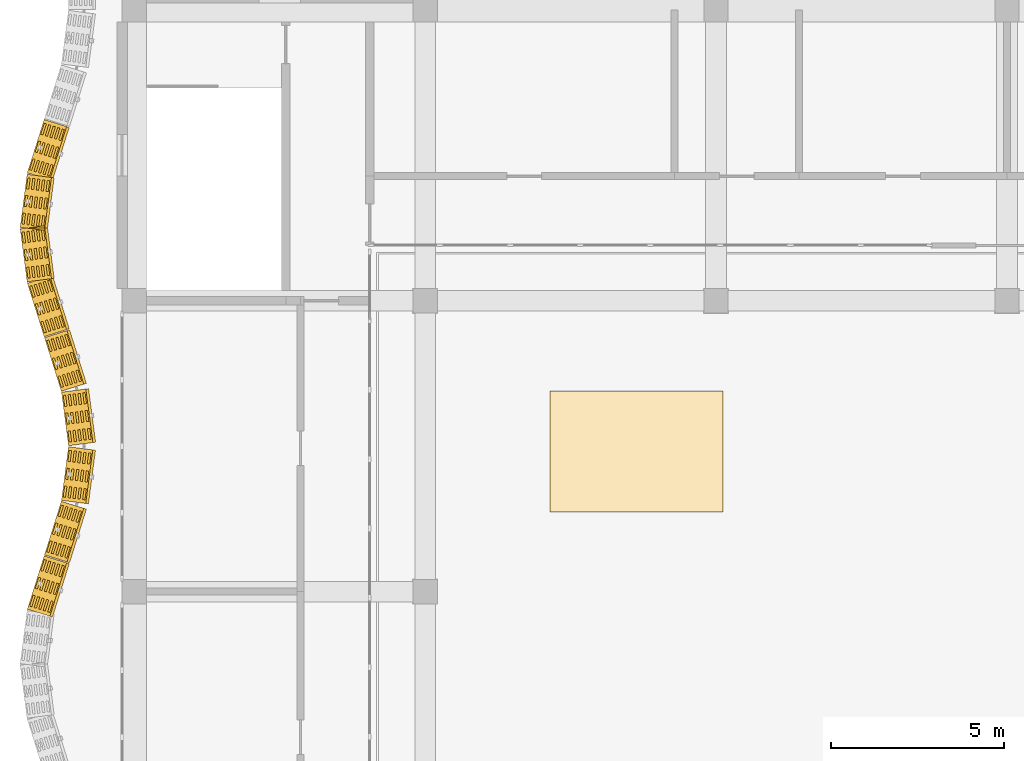
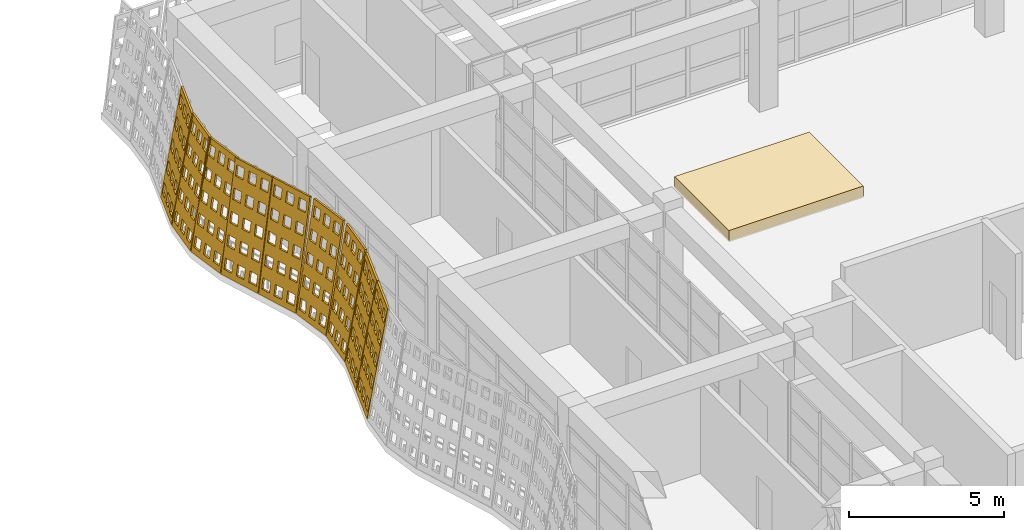
# One storey, part 79 of 85: 10 coverings.
"""IFC4 building model written with IfcOpenShell, lengths in metres."""

from ifc_helpers import new_model, si_unit, direction, frame, origin, place, context, subcontext, project, spatial, polyline, outline, extrude, material, layer, layer_set, type_object, element, save


model = new_model("IFC4")

# Units and contexts
model_context = context("Model", 3, precision=1e-05, world=origin(), true_north=direction((0.0, 1.0)))
body_context = subcontext(model_context, "Body", "Model", "MODEL_VIEW")
ifc_project = project(units=[si_unit("LENGTHUNIT", "METRE"), si_unit("AREAUNIT", "SQUARE_METRE"), si_unit("VOLUMEUNIT", "CUBIC_METRE"), si_unit("PLANEANGLEUNIT", "RADIAN"), si_unit("MASSUNIT", "GRAM", prefix="KILO")], contexts=[model_context])

# Site, building, storey
site_placement = place(None, origin())
site = spatial("IfcSite", under=ifc_project, at=site_placement, CompositionType="ELEMENT")
building_placement = place(site_placement, origin())
building = spatial("IfcBuilding", under=site, at=building_placement, Name="Rain Tree Exposition and Congress Centre", CompositionType="ELEMENT")
storey_placement = place(building_placement, frame((0.0, 0.0, 15.0)))
storey = spatial("IfcBuildingStorey", under=building, at=storey_placement, Name="L03", CompositionType="ELEMENT", Elevation=15.0)

# Coverings
ifc_material_1 = material(Name="Perforated terracotta", Category="masonry")
ifc_layer_1 = layer(ifc_material_1, 0.080078125)
ifc_layer_set_1 = layer_set([ifc_layer_1], Name="Perforated terracotta")
covering_type_1 = type_object("IfcCoveringType", Name="Terracotta screen 80", PredefinedType="CLADDING", material=ifc_layer_set_1)
covering_1_placement = place(storey_placement, frame((-2.598388671875, 47.24951171875, 0.0126953125), z_axis=(0.941176896939, -0.298496232686, -0.158385756119), x_axis=(0.302312226207, 0.953208958144, 0.0)))
element("IfcCovering", 1, at=covering_1_placement, inside=storey, type_object=covering_type_1, Name="wing/screen/L03/105", PredefinedType="CLADDING", context=body_context, shape_type="SweptSolid", body=[
    extrude(outline(polyline([(-1.62890625, 0.0), (-1.62890625, 4.291259765625), (-0.014892578125, 4.291259765625), (-0.014892578125, 0.0), (-1.62890625, 0.0)]), holes=[polyline([(-0.1171875, 0.221435546875), (-0.1171875, 0.63671875), (-0.45068359375, 0.63671875), (-0.45068359375, 0.221435546875), (-0.1171875, 0.221435546875)]), polyline([(-0.1171875, 1.07958984375), (-0.1171875, 1.4951171875), (-0.45068359375, 1.4951171875), (-0.45068359375, 1.07958984375), (-0.1171875, 1.07958984375)]), polyline([(-0.1171875, 1.93798828125), (-0.1171875, 2.353271484375), (-0.45068359375, 2.353271484375), (-0.45068359375, 1.93798828125), (-0.1171875, 1.93798828125)]), polyline([(-0.1171875, 2.796142578125), (-0.1171875, 3.21142578125), (-0.45068359375, 3.21142578125), (-0.45068359375, 2.796142578125), (-0.1171875, 2.796142578125)]), polyline([(-0.1171875, 3.654541015625), (-0.1171875, 4.06982421875), (-0.45068359375, 4.06982421875), (-0.45068359375, 3.654541015625), (-0.1171875, 3.654541015625)]), polyline([(-0.6552734375, 0.221435546875), (-0.6552734375, 0.63671875), (-0.98876953125, 0.63671875), (-0.98876953125, 0.221435546875), (-0.6552734375, 0.221435546875)]), polyline([(-0.6552734375, 1.07958984375), (-0.6552734375, 1.4951171875), (-0.98876953125, 1.4951171875), (-0.98876953125, 1.07958984375), (-0.6552734375, 1.07958984375)]), polyline([(-0.6552734375, 1.93798828125), (-0.6552734375, 2.353271484375), (-0.98876953125, 2.353271484375), (-0.98876953125, 1.93798828125), (-0.6552734375, 1.93798828125)]), polyline([(-0.6552734375, 2.796142578125), (-0.6552734375, 3.21142578125), (-0.98876953125, 3.21142578125), (-0.98876953125, 2.796142578125), (-0.6552734375, 2.796142578125)]), polyline([(-0.6552734375, 3.654541015625), (-0.6552734375, 4.06982421875), (-0.98876953125, 4.06982421875), (-0.98876953125, 3.654541015625), (-0.6552734375, 3.654541015625)]), polyline([(-1.193115234375, 0.221435546875), (-1.193115234375, 0.63671875), (-1.526611328125, 0.63671875), (-1.526611328125, 0.221435546875), (-1.193115234375, 0.221435546875)]), polyline([(-1.193115234375, 1.07958984375), (-1.193115234375, 1.4951171875), (-1.526611328125, 1.4951171875), (-1.526611328125, 1.07958984375), (-1.193115234375, 1.07958984375)]), polyline([(-1.193115234375, 1.93798828125), (-1.193115234375, 2.353271484375), (-1.526611328125, 2.353271484375), (-1.526611328125, 1.93798828125), (-1.193115234375, 1.93798828125)]), polyline([(-1.193115234375, 2.796142578125), (-1.193115234375, 3.21142578125), (-1.526611328125, 3.21142578125), (-1.526611328125, 2.796142578125), (-1.193115234375, 2.796142578125)]), polyline([(-1.193115234375, 3.654541015625), (-1.193115234375, 4.06982421875), (-1.526611328125, 4.06982421875), (-1.526611328125, 3.654541015625), (-1.193115234375, 3.654541015625)])]), origin(), (0.0, 0.0, 1.0), 0.080078125),
])
covering_2_placement = place(storey_placement, frame((-3.093017578125, 45.6748046875, 0.01318359375), z_axis=(0.9779030419, -0.128349774249, -0.165021138321), x_axis=(0.130133906157, 0.991496427865, 0.0)))
element("IfcCovering", 2, at=covering_2_placement, inside=storey, type_object=covering_type_1, Name="wing/screen/L03/106", PredefinedType="CLADDING", context=body_context, shape_type="SweptSolid", body=[
    extrude(outline(polyline([(-1.56298828125, 0.0), (-1.56298828125, 4.295166015625), (-0.02197265625, 4.295166015625), (-0.02197265625, 0.0), (-1.56298828125, 0.0)]), holes=[polyline([(-0.11962890625, 0.2216796875), (-0.11962890625, 0.63720703125), (-0.43798828125, 0.63720703125), (-0.43798828125, 0.2216796875), (-0.11962890625, 0.2216796875)]), polyline([(-0.11962890625, 1.080810546875), (-0.11962890625, 1.496337890625), (-0.43798828125, 1.496337890625), (-0.43798828125, 1.080810546875), (-0.11962890625, 1.080810546875)]), polyline([(-0.11962890625, 1.939697265625), (-0.11962890625, 2.35546875), (-0.43798828125, 2.35546875), (-0.43798828125, 1.939697265625), (-0.11962890625, 1.939697265625)]), polyline([(-0.11962890625, 2.798583984375), (-0.11962890625, 3.21435546875), (-0.43798828125, 3.21435546875), (-0.43798828125, 2.798583984375), (-0.11962890625, 2.798583984375)]), polyline([(-0.11962890625, 3.65771484375), (-0.11962890625, 4.073486328125), (-0.43798828125, 4.073486328125), (-0.43798828125, 3.65771484375), (-0.11962890625, 3.65771484375)]), polyline([(-0.63330078125, 0.2216796875), (-0.63330078125, 0.63720703125), (-0.95166015625, 0.63720703125), (-0.95166015625, 0.2216796875), (-0.63330078125, 0.2216796875)]), polyline([(-0.63330078125, 1.080810546875), (-0.63330078125, 1.496337890625), (-0.95166015625, 1.496337890625), (-0.95166015625, 1.080810546875), (-0.63330078125, 1.080810546875)]), polyline([(-0.63330078125, 1.939697265625), (-0.63330078125, 2.35546875), (-0.95166015625, 2.35546875), (-0.95166015625, 1.939697265625), (-0.63330078125, 1.939697265625)]), polyline([(-0.63330078125, 2.798583984375), (-0.63330078125, 3.21435546875), (-0.95166015625, 3.21435546875), (-0.95166015625, 2.798583984375), (-0.63330078125, 2.798583984375)]), polyline([(-0.63330078125, 3.65771484375), (-0.63330078125, 4.073486328125), (-0.95166015625, 4.073486328125), (-0.95166015625, 3.65771484375), (-0.63330078125, 3.65771484375)]), polyline([(-1.146728515625, 0.2216796875), (-1.146728515625, 0.63720703125), (-1.46533203125, 0.63720703125), (-1.46533203125, 0.2216796875), (-1.146728515625, 0.2216796875)]), polyline([(-1.146728515625, 1.080810546875), (-1.146728515625, 1.496337890625), (-1.46533203125, 1.496337890625), (-1.46533203125, 1.080810546875), (-1.146728515625, 1.080810546875)]), polyline([(-1.146728515625, 1.939697265625), (-1.146728515625, 2.35546875), (-1.46533203125, 2.35546875), (-1.46533203125, 1.939697265625), (-1.146728515625, 1.939697265625)]), polyline([(-1.146728515625, 2.798583984375), (-1.146728515625, 3.21435546875), (-1.46533203125, 3.21435546875), (-1.46533203125, 2.798583984375), (-1.146728515625, 2.798583984375)]), polyline([(-1.146728515625, 3.65771484375), (-1.146728515625, 4.073486328125), (-1.46533203125, 4.073486328125), (-1.46533203125, 3.65771484375), (-1.146728515625, 3.65771484375)])]), origin(), (0.0, 0.0, 1.0), 0.079833984375),
])
covering_3_placement = place(storey_placement, frame((-3.298095703125, 44.100341796875, 0.01318359375), z_axis=(0.9779030419, 0.128349774249, -0.165021138321), x_axis=(-0.130133906157, 0.991496427865, 0.0)))
element("IfcCovering", 3, at=covering_3_placement, inside=storey, type_object=covering_type_1, Name="wing/screen/L03/107", PredefinedType="CLADDING", context=body_context, shape_type="SweptSolid", body=[
    extrude(outline(polyline([(-1.56640625, 0.0), (-1.56640625, 4.295166015625), (-0.025390625, 4.295166015625), (-0.025390625, 0.0), (-1.56640625, 0.0)]), holes=[polyline([(-0.123046875, 0.2216796875), (-0.123046875, 0.63720703125), (-0.44140625, 0.63720703125), (-0.44140625, 0.2216796875), (-0.123046875, 0.2216796875)]), polyline([(-0.123046875, 1.080810546875), (-0.123046875, 1.496337890625), (-0.44140625, 1.496337890625), (-0.44140625, 1.080810546875), (-0.123046875, 1.080810546875)]), polyline([(-0.123046875, 1.939697265625), (-0.123046875, 2.35546875), (-0.44140625, 2.35546875), (-0.44140625, 1.939697265625), (-0.123046875, 1.939697265625)]), polyline([(-0.123046875, 2.798583984375), (-0.123046875, 3.21435546875), (-0.44140625, 3.21435546875), (-0.44140625, 2.798583984375), (-0.123046875, 2.798583984375)]), polyline([(-0.123046875, 3.65771484375), (-0.123046875, 4.073486328125), (-0.44140625, 4.073486328125), (-0.44140625, 3.65771484375), (-0.123046875, 3.65771484375)]), polyline([(-0.63671875, 0.2216796875), (-0.63671875, 0.63720703125), (-0.955078125, 0.63720703125), (-0.955078125, 0.2216796875), (-0.63671875, 0.2216796875)]), polyline([(-0.63671875, 1.080810546875), (-0.63671875, 1.496337890625), (-0.955078125, 1.496337890625), (-0.955078125, 1.080810546875), (-0.63671875, 1.080810546875)]), polyline([(-0.63671875, 1.939697265625), (-0.63671875, 2.35546875), (-0.955078125, 2.35546875), (-0.955078125, 1.939697265625), (-0.63671875, 1.939697265625)]), polyline([(-0.63671875, 2.798583984375), (-0.63671875, 3.21435546875), (-0.955078125, 3.21435546875), (-0.955078125, 2.798583984375), (-0.63671875, 2.798583984375)]), polyline([(-0.63671875, 3.65771484375), (-0.63671875, 4.073486328125), (-0.955078125, 4.073486328125), (-0.955078125, 3.65771484375), (-0.63671875, 3.65771484375)]), polyline([(-1.150146484375, 0.2216796875), (-1.150146484375, 0.63720703125), (-1.46875, 0.63720703125), (-1.46875, 0.2216796875), (-1.150146484375, 0.2216796875)]), polyline([(-1.150146484375, 1.080810546875), (-1.150146484375, 1.496337890625), (-1.46875, 1.496337890625), (-1.46875, 1.080810546875), (-1.150146484375, 1.080810546875)]), polyline([(-1.150146484375, 1.939697265625), (-1.150146484375, 2.35546875), (-1.46875, 2.35546875), (-1.46875, 1.939697265625), (-1.150146484375, 1.939697265625)]), polyline([(-1.150146484375, 2.798583984375), (-1.150146484375, 3.21435546875), (-1.46875, 3.21435546875), (-1.46875, 2.798583984375), (-1.150146484375, 2.798583984375)]), polyline([(-1.150146484375, 3.65771484375), (-1.150146484375, 4.073486328125), (-1.46875, 4.073486328125), (-1.46875, 3.65771484375), (-1.150146484375, 3.65771484375)])]), origin(), (0.0, 0.0, 1.0), 0.079833984375),
])
covering_4_placement = place(storey_placement, frame((-3.093505859375, 42.525634765625, 0.0126953125), z_axis=(0.942029390639, 0.295717964052, -0.158529217842), x_axis=(-0.29950542383, 0.954094597562, 0.0)))
element("IfcCovering", 4, at=covering_4_placement, inside=storey, type_object=covering_type_1, Name="wing/screen/L03/108", PredefinedType="CLADDING", context=body_context, shape_type="SweptSolid", body=[
    extrude(outline(polyline([(-1.635986328125, 0.0), (-1.635986328125, 4.291259765625), (-0.02197265625, 4.291259765625), (-0.02197265625, 0.0), (-1.635986328125, 0.0)]), holes=[polyline([(-0.124267578125, 0.221435546875), (-0.124267578125, 0.63671875), (-0.457763671875, 0.63671875), (-0.457763671875, 0.221435546875), (-0.124267578125, 0.221435546875)]), polyline([(-0.124267578125, 1.07958984375), (-0.124267578125, 1.4951171875), (-0.457763671875, 1.4951171875), (-0.457763671875, 1.07958984375), (-0.124267578125, 1.07958984375)]), polyline([(-0.124267578125, 1.93798828125), (-0.124267578125, 2.353271484375), (-0.457763671875, 2.353271484375), (-0.457763671875, 1.93798828125), (-0.124267578125, 1.93798828125)]), polyline([(-0.124267578125, 2.796142578125), (-0.124267578125, 3.21142578125), (-0.457763671875, 3.21142578125), (-0.457763671875, 2.796142578125), (-0.124267578125, 2.796142578125)]), polyline([(-0.124267578125, 3.654541015625), (-0.124267578125, 4.06982421875), (-0.457763671875, 4.06982421875), (-0.457763671875, 3.654541015625), (-0.124267578125, 3.654541015625)]), polyline([(-0.662109375, 0.221435546875), (-0.662109375, 0.63671875), (-0.995849609375, 0.63671875), (-0.995849609375, 0.221435546875), (-0.662109375, 0.221435546875)]), polyline([(-0.662109375, 1.07958984375), (-0.662109375, 1.4951171875), (-0.995849609375, 1.4951171875), (-0.995849609375, 1.07958984375), (-0.662109375, 1.07958984375)]), polyline([(-0.662109375, 1.93798828125), (-0.662109375, 2.353271484375), (-0.995849609375, 2.353271484375), (-0.995849609375, 1.93798828125), (-0.662109375, 1.93798828125)]), polyline([(-0.662109375, 2.796142578125), (-0.662109375, 3.21142578125), (-0.995849609375, 3.21142578125), (-0.995849609375, 2.796142578125), (-0.662109375, 2.796142578125)]), polyline([(-0.662109375, 3.654541015625), (-0.662109375, 4.06982421875), (-0.995849609375, 4.06982421875), (-0.995849609375, 3.654541015625), (-0.662109375, 3.654541015625)]), polyline([(-1.2001953125, 0.221435546875), (-1.2001953125, 0.63671875), (-1.53369140625, 0.63671875), (-1.53369140625, 0.221435546875), (-1.2001953125, 0.221435546875)]), polyline([(-1.2001953125, 1.07958984375), (-1.2001953125, 1.4951171875), (-1.53369140625, 1.4951171875), (-1.53369140625, 1.07958984375), (-1.2001953125, 1.07958984375)]), polyline([(-1.2001953125, 1.93798828125), (-1.2001953125, 2.353271484375), (-1.53369140625, 2.353271484375), (-1.53369140625, 1.93798828125), (-1.2001953125, 1.93798828125)]), polyline([(-1.2001953125, 2.796142578125), (-1.2001953125, 3.21142578125), (-1.53369140625, 3.21142578125), (-1.53369140625, 2.796142578125), (-1.2001953125, 2.796142578125)]), polyline([(-1.2001953125, 3.654541015625), (-1.2001953125, 4.06982421875), (-1.53369140625, 4.06982421875), (-1.53369140625, 3.654541015625), (-1.2001953125, 3.654541015625)])]), origin(), (0.0, 0.0, 1.0), 0.080078125),
])
covering_5_placement = place(storey_placement, frame((-2.598388671875, 40.95068359375, 0.0126953125), z_axis=(0.942029390639, 0.295717964052, -0.158529217842), x_axis=(-0.29950542383, 0.954094597562, 0.0)))
element("IfcCovering", 5, at=covering_5_placement, inside=storey, type_object=covering_type_1, Name="wing/screen/L03/109", PredefinedType="CLADDING", context=body_context, shape_type="SweptSolid", body=[
    extrude(outline(polyline([(-1.635986328125, 0.0), (-1.635986328125, 4.291259765625), (-0.014892578125, 4.291259765625), (-0.014892578125, 0.0), (-1.635986328125, 0.0)]), holes=[polyline([(-0.11767578125, 0.221435546875), (-0.11767578125, 0.63671875), (-0.45263671875, 0.63671875), (-0.45263671875, 0.221435546875), (-0.11767578125, 0.221435546875)]), polyline([(-0.11767578125, 1.07958984375), (-0.11767578125, 1.4951171875), (-0.45263671875, 1.4951171875), (-0.45263671875, 1.07958984375), (-0.11767578125, 1.07958984375)]), polyline([(-0.11767578125, 1.93798828125), (-0.11767578125, 2.353271484375), (-0.45263671875, 2.353271484375), (-0.45263671875, 1.93798828125), (-0.11767578125, 1.93798828125)]), polyline([(-0.11767578125, 2.796142578125), (-0.11767578125, 3.21142578125), (-0.45263671875, 3.21142578125), (-0.45263671875, 2.796142578125), (-0.11767578125, 2.796142578125)]), polyline([(-0.11767578125, 3.654541015625), (-0.11767578125, 4.06982421875), (-0.45263671875, 4.06982421875), (-0.45263671875, 3.654541015625), (-0.11767578125, 3.654541015625)]), polyline([(-0.657958984375, 0.221435546875), (-0.657958984375, 0.63671875), (-0.992919921875, 0.63671875), (-0.992919921875, 0.221435546875), (-0.657958984375, 0.221435546875)]), polyline([(-0.657958984375, 1.07958984375), (-0.657958984375, 1.4951171875), (-0.992919921875, 1.4951171875), (-0.992919921875, 1.07958984375), (-0.657958984375, 1.07958984375)]), polyline([(-0.657958984375, 1.93798828125), (-0.657958984375, 2.353271484375), (-0.992919921875, 2.353271484375), (-0.992919921875, 1.93798828125), (-0.657958984375, 1.93798828125)]), polyline([(-0.657958984375, 2.796142578125), (-0.657958984375, 3.21142578125), (-0.992919921875, 3.21142578125), (-0.992919921875, 2.796142578125), (-0.657958984375, 2.796142578125)]), polyline([(-0.657958984375, 3.654541015625), (-0.657958984375, 4.06982421875), (-0.992919921875, 4.06982421875), (-0.992919921875, 3.654541015625), (-0.657958984375, 3.654541015625)]), polyline([(-1.1982421875, 0.221435546875), (-1.1982421875, 0.63671875), (-1.533203125, 0.63671875), (-1.533203125, 0.221435546875), (-1.1982421875, 0.221435546875)]), polyline([(-1.1982421875, 1.07958984375), (-1.1982421875, 1.4951171875), (-1.533203125, 1.4951171875), (-1.533203125, 1.07958984375), (-1.1982421875, 1.07958984375)]), polyline([(-1.1982421875, 1.93798828125), (-1.1982421875, 2.353271484375), (-1.533203125, 2.353271484375), (-1.533203125, 1.93798828125), (-1.1982421875, 1.93798828125)]), polyline([(-1.1982421875, 2.796142578125), (-1.1982421875, 3.21142578125), (-1.533203125, 3.21142578125), (-1.533203125, 2.796142578125), (-1.1982421875, 2.796142578125)]), polyline([(-1.1982421875, 3.654541015625), (-1.1982421875, 4.06982421875), (-1.533203125, 4.06982421875), (-1.533203125, 3.654541015625), (-1.1982421875, 3.654541015625)])]), origin(), (0.0, 0.0, 1.0), 0.080078125),
])
covering_6_placement = place(storey_placement, frame((-2.10302734375, 39.375244140625, 0.01318359375), z_axis=(0.9779030419, 0.128349774249, -0.165021138321), x_axis=(-0.130133906157, 0.991496427865, 0.0)))
element("IfcCovering", 6, at=covering_6_placement, inside=storey, type_object=covering_type_1, Name="wing/screen/L03/110", PredefinedType="CLADDING", context=body_context, shape_type="SweptSolid", body=[
    extrude(outline(polyline([(-1.5732421875, 0.0), (-1.5732421875, 4.295166015625), (-0.014892578125, 4.295166015625), (-0.014892578125, 0.0), (-1.5732421875, 0.0)]), holes=[polyline([(-0.11376953125, 0.2216796875), (-0.11376953125, 0.63720703125), (-0.435791015625, 0.63720703125), (-0.435791015625, 0.2216796875), (-0.11376953125, 0.2216796875)]), polyline([(-0.11376953125, 1.080810546875), (-0.11376953125, 1.496337890625), (-0.435791015625, 1.496337890625), (-0.435791015625, 1.080810546875), (-0.11376953125, 1.080810546875)]), polyline([(-0.11376953125, 1.939697265625), (-0.11376953125, 2.35546875), (-0.435791015625, 2.35546875), (-0.435791015625, 1.939697265625), (-0.11376953125, 1.939697265625)]), polyline([(-0.11376953125, 2.798583984375), (-0.11376953125, 3.21435546875), (-0.435791015625, 3.21435546875), (-0.435791015625, 2.798583984375), (-0.11376953125, 2.798583984375)]), polyline([(-0.11376953125, 3.65771484375), (-0.11376953125, 4.073486328125), (-0.435791015625, 4.073486328125), (-0.435791015625, 3.65771484375), (-0.11376953125, 3.65771484375)]), polyline([(-0.633056640625, 0.2216796875), (-0.633056640625, 0.63720703125), (-0.955078125, 0.63720703125), (-0.955078125, 0.2216796875), (-0.633056640625, 0.2216796875)]), polyline([(-0.633056640625, 1.080810546875), (-0.633056640625, 1.496337890625), (-0.955078125, 1.496337890625), (-0.955078125, 1.080810546875), (-0.633056640625, 1.080810546875)]), polyline([(-0.633056640625, 1.939697265625), (-0.633056640625, 2.35546875), (-0.955078125, 2.35546875), (-0.955078125, 1.939697265625), (-0.633056640625, 1.939697265625)]), polyline([(-0.633056640625, 2.798583984375), (-0.633056640625, 3.21435546875), (-0.955078125, 3.21435546875), (-0.955078125, 2.798583984375), (-0.633056640625, 2.798583984375)]), polyline([(-0.633056640625, 3.65771484375), (-0.633056640625, 4.073486328125), (-0.955078125, 4.073486328125), (-0.955078125, 3.65771484375), (-0.633056640625, 3.65771484375)]), polyline([(-1.152587890625, 0.2216796875), (-1.152587890625, 0.63720703125), (-1.474609375, 0.63720703125), (-1.474609375, 0.2216796875), (-1.152587890625, 0.2216796875)]), polyline([(-1.152587890625, 1.080810546875), (-1.152587890625, 1.496337890625), (-1.474609375, 1.496337890625), (-1.474609375, 1.080810546875), (-1.152587890625, 1.080810546875)]), polyline([(-1.152587890625, 1.939697265625), (-1.152587890625, 2.35546875), (-1.474609375, 2.35546875), (-1.474609375, 1.939697265625), (-1.152587890625, 1.939697265625)]), polyline([(-1.152587890625, 2.798583984375), (-1.152587890625, 3.21435546875), (-1.474609375, 3.21435546875), (-1.474609375, 2.798583984375), (-1.152587890625, 2.798583984375)]), polyline([(-1.152587890625, 3.65771484375), (-1.152587890625, 4.073486328125), (-1.474609375, 4.073486328125), (-1.474609375, 3.65771484375), (-1.152587890625, 3.65771484375)])]), origin(), (0.0, 0.0, 1.0), 0.079833984375),
])
covering_7_placement = place(storey_placement, frame((-1.898193359375, 37.7998046875, 0.01318359375), z_axis=(0.978036007662, -0.127967328105, -0.16452942185), x_axis=(0.129735338481, 0.991548658387, 0.0)))
element("IfcCovering", 7, at=covering_7_placement, inside=storey, type_object=covering_type_1, Name="wing/screen/L03/111", PredefinedType="CLADDING", context=body_context, shape_type="SweptSolid", body=[
    extrude(outline(polyline([(-1.5732421875, 0.0), (-1.5732421875, 4.295166015625), (-0.014892578125, 4.295166015625), (-0.014892578125, 0.0), (-1.5732421875, 0.0)]), holes=[polyline([(-0.11376953125, 0.2216796875), (-0.11376953125, 0.63720703125), (-0.435791015625, 0.63720703125), (-0.435791015625, 0.2216796875), (-0.11376953125, 0.2216796875)]), polyline([(-0.11376953125, 1.080810546875), (-0.11376953125, 1.496337890625), (-0.435791015625, 1.496337890625), (-0.435791015625, 1.080810546875), (-0.11376953125, 1.080810546875)]), polyline([(-0.11376953125, 1.939697265625), (-0.11376953125, 2.35546875), (-0.435791015625, 2.35546875), (-0.435791015625, 1.939697265625), (-0.11376953125, 1.939697265625)]), polyline([(-0.11376953125, 2.798583984375), (-0.11376953125, 3.21435546875), (-0.435791015625, 3.21435546875), (-0.435791015625, 2.798583984375), (-0.11376953125, 2.798583984375)]), polyline([(-0.11376953125, 3.65771484375), (-0.11376953125, 4.073486328125), (-0.435791015625, 4.073486328125), (-0.435791015625, 3.65771484375), (-0.11376953125, 3.65771484375)]), polyline([(-0.633056640625, 0.2216796875), (-0.633056640625, 0.63720703125), (-0.955078125, 0.63720703125), (-0.955078125, 0.2216796875), (-0.633056640625, 0.2216796875)]), polyline([(-0.633056640625, 1.080810546875), (-0.633056640625, 1.496337890625), (-0.955078125, 1.496337890625), (-0.955078125, 1.080810546875), (-0.633056640625, 1.080810546875)]), polyline([(-0.633056640625, 1.939697265625), (-0.633056640625, 2.35546875), (-0.955078125, 2.35546875), (-0.955078125, 1.939697265625), (-0.633056640625, 1.939697265625)]), polyline([(-0.633056640625, 2.798583984375), (-0.633056640625, 3.21435546875), (-0.955078125, 3.21435546875), (-0.955078125, 2.798583984375), (-0.633056640625, 2.798583984375)]), polyline([(-0.633056640625, 3.65771484375), (-0.633056640625, 4.073486328125), (-0.955078125, 4.073486328125), (-0.955078125, 3.65771484375), (-0.633056640625, 3.65771484375)]), polyline([(-1.152587890625, 0.2216796875), (-1.152587890625, 0.63720703125), (-1.474609375, 0.63720703125), (-1.474609375, 0.2216796875), (-1.152587890625, 0.2216796875)]), polyline([(-1.152587890625, 1.080810546875), (-1.152587890625, 1.496337890625), (-1.474609375, 1.496337890625), (-1.474609375, 1.080810546875), (-1.152587890625, 1.080810546875)]), polyline([(-1.152587890625, 1.939697265625), (-1.152587890625, 2.35546875), (-1.474609375, 2.35546875), (-1.474609375, 1.939697265625), (-1.152587890625, 1.939697265625)]), polyline([(-1.152587890625, 2.798583984375), (-1.152587890625, 3.21435546875), (-1.474609375, 3.21435546875), (-1.474609375, 2.798583984375), (-1.152587890625, 2.798583984375)]), polyline([(-1.152587890625, 3.65771484375), (-1.152587890625, 4.073486328125), (-1.474609375, 4.073486328125), (-1.474609375, 3.65771484375), (-1.152587890625, 3.65771484375)])]), origin(), (0.0, 0.0, 1.0), 0.080078125),
])
covering_8_placement = place(storey_placement, frame((-2.103515625, 36.224365234375, 0.0126953125), z_axis=(0.942029390639, -0.295717964052, -0.158529217842), x_axis=(0.29950542383, 0.954094597562, 0.0)))
element("IfcCovering", 8, at=covering_8_placement, inside=storey, type_object=covering_type_1, Name="wing/screen/L03/112", PredefinedType="CLADDING", context=body_context, shape_type="SweptSolid", body=[
    extrude(outline(polyline([(-1.635986328125, 0.0), (-1.635986328125, 4.291259765625), (-0.014892578125, 4.291259765625), (-0.014892578125, 0.0), (-1.635986328125, 0.0)]), holes=[polyline([(-0.11767578125, 0.221435546875), (-0.11767578125, 0.63671875), (-0.45263671875, 0.63671875), (-0.45263671875, 0.221435546875), (-0.11767578125, 0.221435546875)]), polyline([(-0.11767578125, 1.07958984375), (-0.11767578125, 1.4951171875), (-0.45263671875, 1.4951171875), (-0.45263671875, 1.07958984375), (-0.11767578125, 1.07958984375)]), polyline([(-0.11767578125, 1.93798828125), (-0.11767578125, 2.353271484375), (-0.45263671875, 2.353271484375), (-0.45263671875, 1.93798828125), (-0.11767578125, 1.93798828125)]), polyline([(-0.11767578125, 2.796142578125), (-0.11767578125, 3.21142578125), (-0.45263671875, 3.21142578125), (-0.45263671875, 2.796142578125), (-0.11767578125, 2.796142578125)]), polyline([(-0.11767578125, 3.654541015625), (-0.11767578125, 4.06982421875), (-0.45263671875, 4.06982421875), (-0.45263671875, 3.654541015625), (-0.11767578125, 3.654541015625)]), polyline([(-0.657958984375, 0.221435546875), (-0.657958984375, 0.63671875), (-0.992919921875, 0.63671875), (-0.992919921875, 0.221435546875), (-0.657958984375, 0.221435546875)]), polyline([(-0.657958984375, 1.07958984375), (-0.657958984375, 1.4951171875), (-0.992919921875, 1.4951171875), (-0.992919921875, 1.07958984375), (-0.657958984375, 1.07958984375)]), polyline([(-0.657958984375, 1.93798828125), (-0.657958984375, 2.353271484375), (-0.992919921875, 2.353271484375), (-0.992919921875, 1.93798828125), (-0.657958984375, 1.93798828125)]), polyline([(-0.657958984375, 2.796142578125), (-0.657958984375, 3.21142578125), (-0.992919921875, 3.21142578125), (-0.992919921875, 2.796142578125), (-0.657958984375, 2.796142578125)]), polyline([(-0.657958984375, 3.654541015625), (-0.657958984375, 4.06982421875), (-0.992919921875, 4.06982421875), (-0.992919921875, 3.654541015625), (-0.657958984375, 3.654541015625)]), polyline([(-1.1982421875, 0.221435546875), (-1.1982421875, 0.63671875), (-1.533203125, 0.63671875), (-1.533203125, 0.221435546875), (-1.1982421875, 0.221435546875)]), polyline([(-1.1982421875, 1.07958984375), (-1.1982421875, 1.4951171875), (-1.533203125, 1.4951171875), (-1.533203125, 1.07958984375), (-1.1982421875, 1.07958984375)]), polyline([(-1.1982421875, 1.93798828125), (-1.1982421875, 2.353271484375), (-1.533203125, 2.353271484375), (-1.533203125, 1.93798828125), (-1.1982421875, 1.93798828125)]), polyline([(-1.1982421875, 2.796142578125), (-1.1982421875, 3.21142578125), (-1.533203125, 3.21142578125), (-1.533203125, 2.796142578125), (-1.1982421875, 2.796142578125)]), polyline([(-1.1982421875, 3.654541015625), (-1.1982421875, 4.06982421875), (-1.533203125, 4.06982421875), (-1.533203125, 3.654541015625), (-1.1982421875, 3.654541015625)])]), origin(), (0.0, 0.0, 1.0), 0.080078125),
])
covering_9_placement = place(storey_placement, frame((-2.598388671875, 34.6494140625, 0.0126953125), z_axis=(0.942029390639, -0.295717964052, -0.158529217842), x_axis=(0.29950542383, 0.954094597562, 0.0)))
element("IfcCovering", 9, at=covering_9_placement, inside=storey, type_object=covering_type_1, Name="wing/screen/L03/113", PredefinedType="CLADDING", context=body_context, shape_type="SweptSolid", body=[
    extrude(outline(polyline([(-1.62890625, 0.0), (-1.62890625, 4.291259765625), (-0.014892578125, 4.291259765625), (-0.014892578125, 0.0), (-1.62890625, 0.0)]), holes=[polyline([(-0.1171875, 0.221435546875), (-0.1171875, 0.63671875), (-0.45068359375, 0.63671875), (-0.45068359375, 0.221435546875), (-0.1171875, 0.221435546875)]), polyline([(-0.1171875, 1.07958984375), (-0.1171875, 1.4951171875), (-0.45068359375, 1.4951171875), (-0.45068359375, 1.07958984375), (-0.1171875, 1.07958984375)]), polyline([(-0.1171875, 1.93798828125), (-0.1171875, 2.353271484375), (-0.45068359375, 2.353271484375), (-0.45068359375, 1.93798828125), (-0.1171875, 1.93798828125)]), polyline([(-0.1171875, 2.796142578125), (-0.1171875, 3.21142578125), (-0.45068359375, 3.21142578125), (-0.45068359375, 2.796142578125), (-0.1171875, 2.796142578125)]), polyline([(-0.1171875, 3.654541015625), (-0.1171875, 4.06982421875), (-0.45068359375, 4.06982421875), (-0.45068359375, 3.654541015625), (-0.1171875, 3.654541015625)]), polyline([(-0.6552734375, 0.221435546875), (-0.6552734375, 0.63671875), (-0.98876953125, 0.63671875), (-0.98876953125, 0.221435546875), (-0.6552734375, 0.221435546875)]), polyline([(-0.6552734375, 1.07958984375), (-0.6552734375, 1.4951171875), (-0.98876953125, 1.4951171875), (-0.98876953125, 1.07958984375), (-0.6552734375, 1.07958984375)]), polyline([(-0.6552734375, 1.93798828125), (-0.6552734375, 2.353271484375), (-0.98876953125, 2.353271484375), (-0.98876953125, 1.93798828125), (-0.6552734375, 1.93798828125)]), polyline([(-0.6552734375, 2.796142578125), (-0.6552734375, 3.21142578125), (-0.98876953125, 3.21142578125), (-0.98876953125, 2.796142578125), (-0.6552734375, 2.796142578125)]), polyline([(-0.6552734375, 3.654541015625), (-0.6552734375, 4.06982421875), (-0.98876953125, 4.06982421875), (-0.98876953125, 3.654541015625), (-0.6552734375, 3.654541015625)]), polyline([(-1.193115234375, 0.221435546875), (-1.193115234375, 0.63671875), (-1.526611328125, 0.63671875), (-1.526611328125, 0.221435546875), (-1.193115234375, 0.221435546875)]), polyline([(-1.193115234375, 1.07958984375), (-1.193115234375, 1.4951171875), (-1.526611328125, 1.4951171875), (-1.526611328125, 1.07958984375), (-1.193115234375, 1.07958984375)]), polyline([(-1.193115234375, 1.93798828125), (-1.193115234375, 2.353271484375), (-1.526611328125, 2.353271484375), (-1.526611328125, 1.93798828125), (-1.193115234375, 1.93798828125)]), polyline([(-1.193115234375, 2.796142578125), (-1.193115234375, 3.21142578125), (-1.526611328125, 3.21142578125), (-1.526611328125, 2.796142578125), (-1.193115234375, 2.796142578125)]), polyline([(-1.193115234375, 3.654541015625), (-1.193115234375, 4.06982421875), (-1.526611328125, 4.06982421875), (-1.526611328125, 3.654541015625), (-1.193115234375, 3.654541015625)])]), origin(), (0.0, 0.0, 1.0), 0.080078125),
])
ifc_material_2 = material(Name="Planting soil", Category="soil")
ifc_layer_2 = layer(ifc_material_2, 0.449951171875)
ifc_layer_set_2 = layer_set([ifc_layer_2], Name="Planting soil")
covering_type_2 = type_object("IfcCoveringType", Name="Wing court planting bed 450", PredefinedType="FLOORING", material=ifc_layer_set_2)
covering_10_placement = place(storey_placement, origin())
element("IfcCovering", 10, at=covering_10_placement, inside=storey, type_object=covering_type_2, Name="Planting bed 3", PredefinedType="FLOORING", context=body_context, shape_type="SweptSolid", body=[
    extrude(outline(polyline([(12.0, 35.89990234375), (17.0, 35.89990234375), (17.0, 39.39990234375), (12.0, 39.39990234375), (12.0, 35.89990234375)])), origin(), (0.0, 0.0, 1.0), 0.449951171875),
])

save(model, "model.ifc")
